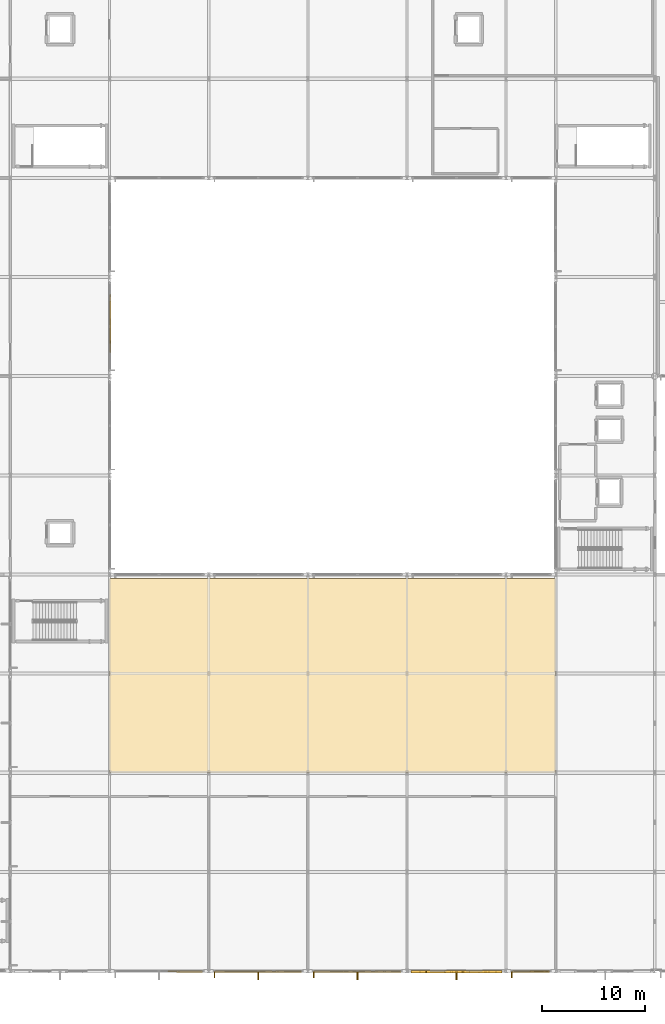
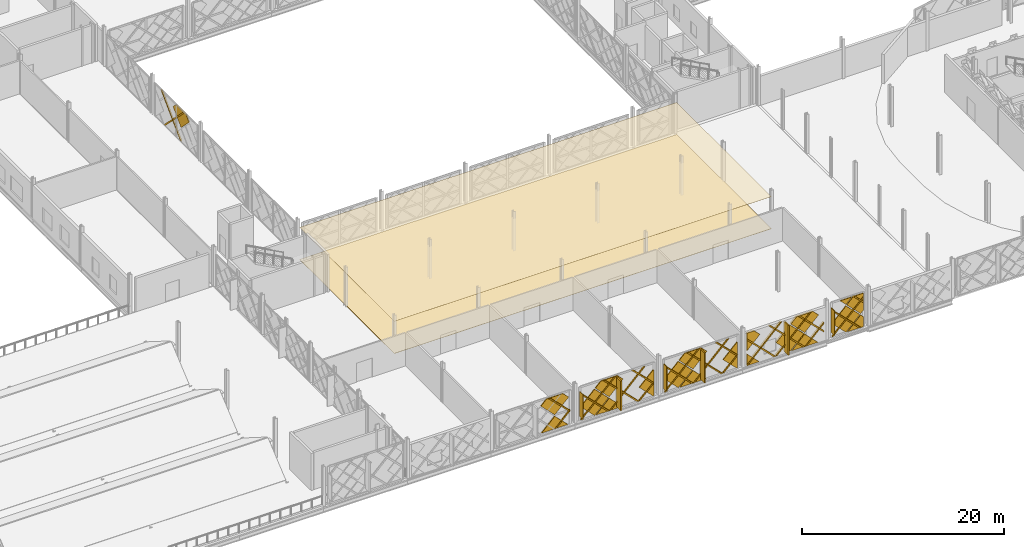
# One storey, part 58 of 77: 50 coverings, 3 shading devices.
"""IFC4 building model written with IfcOpenShell, lengths in metres."""

from ifc_helpers import new_model, si_unit, direction, frame, origin, origin_2d, place, context, subcontext, project, spatial, polyline, rectangle, outline, extrude, material, layer, layer_set, type_object, element, save


model = new_model("IFC4")

# Units and contexts
model_context = context("Model", 3, precision=1e-05, world=origin(), true_north=direction((0.0, 1.0)))
body_context = subcontext(model_context, "Body", "Model", "MODEL_VIEW")
ifc_project = project(units=[si_unit("LENGTHUNIT", "METRE"), si_unit("AREAUNIT", "SQUARE_METRE"), si_unit("VOLUMEUNIT", "CUBIC_METRE"), si_unit("PLANEANGLEUNIT", "RADIAN"), si_unit("MASSUNIT", "GRAM", prefix="KILO")], contexts=[model_context])

# Site, building, storey
site_placement = place(None, origin())
site = spatial("IfcSite", under=ifc_project, at=site_placement, CompositionType="ELEMENT")
building_placement = place(site_placement, origin())
building = spatial("IfcBuilding", under=site, at=building_placement, Name="Zevrakil Square Congress Hotel", CompositionType="ELEMENT")
storey_placement = place(building_placement, frame((0.0, 0.0, 9.89990234375)))
storey = spatial("IfcBuildingStorey", under=building, at=storey_placement, Name="L03", CompositionType="ELEMENT", Elevation=9.89990234375)

# Coverings
ifc_material_1 = material(Name="Acoustic Perforated Timber Ceiling", Category="wood")
ifc_layer_1 = layer(ifc_material_1, 0.02490234375)
ifc_layer_set_1 = layer_set([ifc_layer_1], Name="Acoustic Perforated Timber Ceiling")
covering_type_1 = type_object("IfcCoveringType", Name="COV-CEIL-ACOUSTIC-025", PredefinedType="CEILING", material=ifc_layer_set_1)
covering_1_placement = place(storey_placement, frame((0.0, 0.0, 3.89013671875)))
element("IfcCovering", 1, at=covering_1_placement, inside=storey, type_object=covering_type_1, Name="L03 acoustic perforated timber ceiling 6", PredefinedType="CEILING", context=body_context, shape_type="SweptSolid", body=[
    extrude(outline(polyline([(64.800048828125, 26.39990234375), (108.0, 26.39990234375), (108.0, 45.199951171875), (64.800048828125, 45.199951171875), (64.800048828125, 26.39990234375)])), origin(), (0.0, 0.0, 1.0), 0.02490234375),
])
ifc_material_2 = material(Name="Architectural White Fibre-C GRC", Category="concrete")
ifc_layer_2 = layer(ifc_material_2, 0.06494140625)
ifc_layer_set_2 = layer_set([ifc_layer_2], Name="Architectural White Fibre-C GRC")
covering_type_2 = type_object("IfcCoveringType", Name="COV-DIA-WHITE", PredefinedType="CLADDING", material=ifc_layer_set_2)
covering_2_placement = place(storey_placement, frame((72.0400390625, 7.10595703125, 1.590087890625), z_axis=(0.0, -0.999999790873, 0.000646725815), x_axis=(0.707106707249, -0.000457304257, -0.707106707249)))
element("IfcCovering", 2, at=covering_2_placement, inside=storey, type_object=covering_type_2, Name="L03 45-degree white GRC diamond facade cassette 108", PredefinedType="CLADDING", context=body_context, shape_type="SweptSolid", body=[
    extrude(outline(polyline([(0.0, 0.0), (2.1354765131557993, 0.0), (4.465861884739297e-07, -2.1354765131557527), (0.0, 0.0)])), origin(), (0.0, 0.0, -1.0), 0.1201171875),
])
covering_3_placement = place(storey_placement, frame((73.6298828125, 7.10693359375, 3.360107421875), z_axis=(0.0, -0.999999833523, 0.00057702221), x_axis=(-0.70705245556, -0.000408047662, -0.707160984913)))
element("IfcCovering", 3, at=covering_3_placement, inside=storey, type_object=covering_type_2, Name="L03 45-degree white GRC diamond facade cassette 111", PredefinedType="CLADDING", context=body_context, shape_type="SweptSolid", body=[
    extrude(outline(polyline([(0.0, 0.0), (2.248551345090487, -2.220446049250313e-16), (2.248378475018303, -2.248723965301739), (1.336182985314683, -2.248654009101241), (-0.00024282302249201138, -0.9120228429311016), (0.0, 0.0)])), origin(), (0.0, 0.0, -1.0), 0.1201171875),
])
covering_4_placement = place(storey_placement, frame((78.280029296875, 7.10595703125, 1.590087890625), z_axis=(0.0, -0.999999790873, 0.000646725815), x_axis=(0.707106707249, -0.000457304257, -0.707106707249)))
element("IfcCovering", 4, at=covering_4_placement, inside=storey, type_object=covering_type_2, Name="L03 45-degree white GRC diamond facade cassette 130", PredefinedType="CLADDING", context=body_context, shape_type="SweptSolid", body=[
    extrude(outline(polyline([(0.0, 0.0), (2.1354765131557993, 0.0), (4.465861884739297e-07, -2.1354765131557527), (0.0, 0.0)])), origin(), (0.0, 0.0, -1.0), 0.1201171875),
])
covering_5_placement = place(storey_placement, frame((76.60009765625, 7.10693359375, 3.27001953125), z_axis=(0.0, -0.999999812555, 0.000612281941), x_axis=(0.707106714489, -0.000432948753, -0.707106715341)))
element("IfcCovering", 5, at=covering_5_placement, inside=storey, type_object=covering_type_2, Name="L03 45-degree white GRC diamond facade cassette 131", PredefinedType="CLADDING", context=body_context, shape_type="SweptSolid", body=[
    extrude(outline(polyline([(0.0, 0.0), (2.2483788053823686, 2.220446049250313e-16), (2.2485518630143098, -2.2485514388251864), (0.013983735657622232, -2.2485514362281265), (-0.00017220932723183147, -2.23439549391379), (0.0, 0.0)])), origin(), (0.0, 0.0, -1.0), 0.1201171875),
])
covering_6_placement = place(storey_placement, frame((83.320068359375, 7.10498046875, 0.090087890625), z_axis=(-4.3911e-08, -0.999999810879, 0.000615014432), x_axis=(-0.707106714509, 0.000434911966, 0.707106714116)))
element("IfcCovering", 6, at=covering_6_placement, inside=storey, type_object=covering_type_2, Name="L03 45-degree white GRC diamond facade cassette 132", PredefinedType="CLADDING", context=body_context, shape_type="SweptSolid", body=[
    extrude(outline(polyline([(0.0, 0.0), (2.2487240723345274, -2.220446049250313e-16), (2.248551862954323, -2.2485514388919943), (2.1639614601190895, -2.2485514548663854), (0.00017263345166069338, -0.0847630362800969), (0.0, 0.0)])), origin(), (0.0, 0.0, -1.0), 0.1201171875),
])
covering_7_placement = place(storey_placement, frame((79.8701171875, 7.10693359375, 3.360107421875), z_axis=(0.0, -0.999999833524, 0.000577020187), x_axis=(-0.707106746075, -0.000408014907, -0.707106698581)))
element("IfcCovering", 7, at=covering_7_placement, inside=storey, type_object=covering_type_2, Name="L03 45-degree white GRC diamond facade cassette 133", PredefinedType="CLADDING", context=body_context, shape_type="SweptSolid", body=[
    extrude(outline(polyline([(0.0, 0.0), (2.2487239719466743, -2.220446049250313e-16), (2.248723748627534, -2.2487239719466636), (1.3365282562416159, -2.2487240499485552), (-1.6859136209301795e-07, -0.9121954923859064), (0.0, 0.0)])), origin(), (0.0, 0.0, -1.0), 0.1201171875),
])
covering_8_placement = place(storey_placement, frame((87.8798828125, 7.10595703125, 1.590087890625), z_axis=(0.0, -0.999999790873, 0.000646725815), x_axis=(0.707106707249, -0.000457304257, -0.707106707249)))
element("IfcCovering", 8, at=covering_8_placement, inside=storey, type_object=covering_type_2, Name="L03 45-degree white GRC diamond facade cassette 153", PredefinedType="CLADDING", context=body_context, shape_type="SweptSolid", body=[
    extrude(outline(polyline([(0.0, 0.0), (2.1354765131557993, 0.0), (0.00017308005963778683, -2.1353038796462007), (0.0, 0.0)])), origin(), (0.0, 0.0, -1.0), 0.1201171875),
])
covering_9_placement = place(storey_placement, frame((86.199951171875, 7.10693359375, 3.27001953125), z_axis=(0.0, -0.999999812555, 0.000612282237), x_axis=(0.707161000838, -0.000432915721, -0.707052424844)))
element("IfcCovering", 9, at=covering_9_placement, inside=storey, type_object=covering_type_2, Name="L03 45-degree white GRC diamond facade cassette 154", PredefinedType="CLADDING", context=body_context, shape_type="SweptSolid", body=[
    extrude(outline(polyline([(0.0, 0.0), (2.2485514454845923, 0.0), (2.248379222880032, -2.2487240657380214), (0.013983748838055643, -2.248379882955194), (-0.0001711092764935529, -2.234222853853795), (0.0, 0.0)])), origin(), (0.0, 0.0, -1.0), 0.1201171875),
])
covering_10_placement = place(storey_placement, frame((92.919921875, 7.10498046875, 0.090087890625), z_axis=(-4.3905e-08, -0.999999810877, 0.000615017631), x_axis=(-0.707052423991, 0.000434947608, 0.707161000444)))
element("IfcCovering", 10, at=covering_10_placement, inside=storey, type_object=covering_type_2, Name="L03 45-degree white GRC diamond facade cassette 155", PredefinedType="CLADDING", context=body_context, shape_type="SweptSolid", body=[
    extrude(outline(polyline([(0.0, 0.0), (2.2485514454863083, 0.0), (2.2487244898345797, -2.248378798725155), (2.163961467029263, -2.248557955925599), (6.520949064468817e-06, -0.08493566953746919), (0.0, 0.0)])), origin(), (0.0, 0.0, -1.0), 0.1201171875),
])
covering_11_placement = place(storey_placement, frame((89.469970703125, 7.10693359375, 3.360107421875), z_axis=(0.0, -0.999999833525, 0.000577018806), x_axis=(-0.707106746075, -0.000408013931, -0.707106698582)))
element("IfcCovering", 11, at=covering_11_placement, inside=storey, type_object=covering_type_2, Name="L03 45-degree white GRC diamond facade cassette 156", PredefinedType="CLADDING", context=body_context, shape_type="SweptSolid", body=[
    extrude(outline(polyline([(0.0, 0.0), (2.2487239719468546, -4.440892098500626e-16), (2.248551115144425, -2.2485513384467715), (1.33635562275862, -2.2485514164484766), (-1.6859132201396676e-07, -0.9121954923857929), (0.0, 0.0)])), origin(), (0.0, 0.0, -1.0), 0.1201171875),
])
covering_12_placement = place(storey_placement, frame((95.409912109375, 7.02001953125, 0.080078125), z_axis=(0.0, -0.999999760125, 0.000692640526), x_axis=(-1.0, 0.0, 0.0)))
element("IfcCovering", 12, at=covering_12_placement, inside=storey, type_object=covering_type_2, Name="L03 45-degree white GRC diamond facade cassette 176", PredefinedType="CLADDING", context=body_context, shape_type="SweptSolid", body=[
    extrude(outline(polyline([(0.0, 0.0), (1.409912109375, 0.0), (1.409912109375, -1.4099124475784228), (0.0, 0.0)])), origin(), (0.0, 0.0, -1.0), 0.219970703125),
])
covering_13_placement = place(storey_placement, frame((100.6201171875, 7.02099609375, 1.590087890625), z_axis=(0.0, -0.999999790873, 0.000646725815), x_axis=(0.707049537273, -0.000457341227, -0.707163872579)))
element("IfcCovering", 13, at=covering_13_placement, inside=storey, type_object=covering_type_2, Name="L03 45-degree white GRC diamond facade cassette 177", PredefinedType="CLADDING", context=body_context, shape_type="SweptSolid", body=[
    extrude(outline(polyline([(0.0, 0.0), (2.135303886660825, 0.0), (0.00017309405212095896, -2.1354765061406087), (0.0, 0.0)])), origin(), (0.0, 0.0, -1.0), 0.219970703125),
])
covering_14_placement = place(storey_placement, frame((98.93994140625, 7.02197265625, 3.27001953125), z_axis=(0.0, -0.999999811377, 0.000614203339), x_axis=(0.707161000837, -0.000434274042, -0.707052424012)))
element("IfcCovering", 14, at=covering_14_placement, inside=storey, type_object=covering_type_2, Name="L03 45-degree white GRC diamond facade cassette 178", PredefinedType="CLADDING", context=body_context, shape_type="SweptSolid", body=[
    extrude(outline(polyline([(0.0, 0.0), (2.2485514454867683, 0.0), (2.2483792228863573, -2.248724065739994), (-0.0001721960923970478, -2.248378798790573), (0.0, 0.0)])), origin(), (0.0, 0.0, -1.0), 0.219970703125),
])
covering_15_placement = place(storey_placement, frame((95.489990234375, 7.02197265625, 3.360107421875), z_axis=(-2.6201832e-05, -0.999999757117, 0.000696476053), x_axis=(-0.707106705563, -0.000473955506, -0.70710669797)))
element("IfcCovering", 15, at=covering_15_placement, inside=storey, type_object=covering_type_2, Name="L03 45-degree white GRC diamond facade cassette 179", PredefinedType="CLADDING", context=body_context, shape_type="SweptSolid", body=[
    extrude(outline(polyline([(0.0, 0.0), (2.1071646234335564, 0.0), (0.5974842236581275, -1.5096800770776109), (-2.2652588360649872e-07, -0.9121954995045182), (0.0, 0.0)])), origin(), (0.0, 0.0, -1.0), 0.219970703125),
])
covering_16_placement = place(storey_placement, frame((102.2099609375, 7.02197265625, 3.360107421875), z_axis=(0.0, -0.999999775378, 0.000670257195), x_axis=(-0.707052424547, -0.000473979838, -0.707160974803)))
element("IfcCovering", 16, at=covering_16_placement, inside=storey, type_object=covering_type_2, Name="L03 45-degree white GRC diamond facade cassette 180", PredefinedType="CLADDING", context=body_context, shape_type="SweptSolid", body=[
    extrude(outline(polyline([(0.0, 0.0), (2.2485514437172673, 0.0), (2.2483783763991094, -2.2487240639057764), (1.3361828810269825, -2.2486540733710796), (-7.024847056097405e-05, -0.9121954953522995), (0.0, 0.0)])), origin(), (0.0, 0.0, -1.0), 0.219970703125),
])
covering_17_placement = place(storey_placement, frame((107.080078125, 7.10595703125, 1.590087890625), z_axis=(-2.4434209e-05, -0.9999997937, 0.00064187453), x_axis=(0.706818819201, -0.000471329148, -0.707394468929)))
element("IfcCovering", 17, at=covering_17_placement, inside=storey, type_object=covering_type_2, Name="L03 45-degree white GRC diamond facade cassette 194", PredefinedType="CLADDING", context=body_context, shape_type="SweptSolid", body=[
    extrude(outline(polyline([(0.0, 0.0), (0.4241605917046896, 5.551115123125783e-17), (1.2800806117242027, -0.8552233182578379), (0.0008696969925980902, -2.1354763356009503), (0.0, 0.0)])), origin(), (0.0, 0.0, -1.0), 0.1201171875),
])
covering_18_placement = place(storey_placement, frame((105.39990234375, 7.10693359375, 3.27001953125), z_axis=(0.0, -0.999999812555, 0.000612282237), x_axis=(0.707161000838, -0.000432915721, -0.707052424844)))
element("IfcCovering", 18, at=covering_18_placement, inside=storey, type_object=covering_type_2, Name="L03 45-degree white GRC diamond facade cassette 195", PredefinedType="CLADDING", context=body_context, shape_type="SweptSolid", body=[
    extrude(outline(polyline([(0.0, 0.0), (2.2485514454845923, 0.0), (2.248379222880032, -2.2487240657380214), (0.013983748838055643, -2.248379882955194), (-0.0001711092764935529, -2.234222853853795), (0.0, 0.0)])), origin(), (0.0, 0.0, -1.0), 0.1201171875),
])
covering_19_placement = place(storey_placement, frame((107.080078125, 7.106201171875, 1.77001953125), z_axis=(-2.7518589e-05, -0.999999855513, 0.000536857347), x_axis=(-0.707106743564, 0.000399074068, 0.707106706195)))
element("IfcCovering", 19, at=covering_19_placement, inside=storey, type_object=covering_type_2, Name="L03 45-degree white GRC diamond facade cassette 196", PredefinedType="CLADDING", context=body_context, shape_type="SweptSolid", body=[
    extrude(outline(polyline([(0.0, 0.0), (2.248723973511664, -2.220446049250313e-16), (2.248724139414385, -1.0958775088290285), (1.4603070256794715, -1.884294705863747), (0.00017262226965999994, -0.4241604610872148), (0.0, 0.0)])), origin(), (0.0, 0.0, -1.0), 0.1201171875),
])
covering_20_placement = place(storey_placement, frame((105.39990234375, 7.107177734375, 3.4501953125), z_axis=(0.0, -0.999999936452, 0.000356506216), x_axis=(-0.707106758719, 0.000252087971, 0.707106758719)))
element("IfcCovering", 20, at=covering_20_placement, inside=storey, type_object=covering_type_2, Name="L03 45-degree white GRC diamond facade cassette 197", PredefinedType="CLADDING", context=body_context, shape_type="SweptSolid", body=[
    extrude(outline(polyline([(0.0, 0.0), (0.9684739180909472, 0.0), (-0.00017257194110054108, -0.9686465515879311), (0.0, 0.0)])), origin(), (0.0, 0.0, -1.0), 0.1201171875),
])
covering_21_placement = place(storey_placement, frame((64.89306640625, 70.27001953125, 3.360107421875), z_axis=(0.999999819419, 0.0, 0.000600967764), x_axis=(0.000424948402, -0.707106747162, -0.707106687521)))
element("IfcCovering", 21, at=covering_21_placement, inside=storey, type_object=covering_type_2, Name="L03 45-degree white GRC diamond facade cassette 1864", PredefinedType="CLADDING", context=body_context, shape_type="SweptSolid", body=[
    extrude(outline(polyline([(0.0, 0.0), (2.248723968490032, 0.0), (2.248551118600983, -2.248551334990214), (1.42129129452942, -2.248551427985134), (-1.7260623347281623e-07, -0.8272598240715496), (0.0, 0.0)])), origin(), (0.0, 0.0, -1.0), 0.1201171875),
])
ifc_material_3 = material(Name="Anodised Champagne Aluminium", Category="aluminium")
ifc_layer_3 = layer(ifc_material_3, 0.0849609375)
ifc_layer_set_3 = layer_set([ifc_layer_3], Name="Anodised Champagne Aluminium")
covering_type_3 = type_object("IfcCoveringType", Name="COV-DIAGRID-45", PredefinedType="MOLDING", material=ifc_layer_set_3)
covering_22_placement = place(storey_placement, frame((72.22607421875, 7.080078125, 0.080078125), z_axis=(0.000294139249, -0.999999913482, 0.000294139249), x_axis=(-0.999999956741, -0.000294139237, 8.6518e-08)))
element("IfcCovering", 22, at=covering_22_placement, inside=storey, type_object=covering_type_3, Name="L03 45-degree aluminium diagrid rib 114", PredefinedType="MOLDING", context=body_context, shape_type="SweptSolid", body=[
    extrude(outline(polyline([(0.0, 0.0), (0.2121581939472589, 0.0), (-1.553955145347468, -1.7661134920951609), (-1.5539551637029505, -1.5539552981479028), (0.0, 0.0)])), origin(), (0.0, 0.0, -1.0), 0.14501953125),
])
covering_23_placement = place(storey_placement, frame((71.288818359375, 7.08251953125, 4.005126953125), z_axis=(0.000242027513, -0.999999559026, 0.000907397268), x_axis=(0.999999970711, 0.000242027413, -2.19615e-07)))
element("IfcCovering", 23, at=covering_23_placement, inside=storey, type_object=covering_type_3, Name="L03 45-degree aluminium diagrid rib 117", PredefinedType="MOLDING", context=body_context, shape_type="SweptSolid", body=[
    extrude(outline(polyline([(0.0, 0.0), (0.21240233752902019, 0.0), (2.4912110104642298, -2.2788089847939177), (2.49121099802227, -2.4912114626335993), (0.0, 0.0)])), origin(), (0.0, 0.0, -1.0), 0.14501953125),
])
covering_24_placement = place(storey_placement, frame((75.106201171875, 7.080078125, 0.080078125), z_axis=(0.000186705842, -0.999999885196, 0.000441304718), x_axis=(-0.99999998257, -0.000186705824, 8.2394e-08)))
element("IfcCovering", 24, at=covering_24_placement, inside=storey, type_object=covering_type_3, Name="L03 45-degree aluminium diagrid rib 134", PredefinedType="MOLDING", context=body_context, shape_type="SweptSolid", body=[
    extrude(outline(polyline([(0.0, 0.0), (0.086181639122894, -2.2812090330563966e-24), (0.08618164952274412, -0.12622069083426724), (-3.7126465520889185, -3.92504952332774), (-3.9248047515160995, -3.92504952332774), (0.0, 0.0)])), origin(), (0.0, 0.0, -1.0), 0.14501953125),
])
covering_25_placement = place(storey_placement, frame((78.466064453125, 7.080078125, 0.080078125), z_axis=(0.0, -0.999999806554, 0.000622006473), x_axis=(-1.0, 0.0, 0.0)))
element("IfcCovering", 25, at=covering_25_placement, inside=storey, type_object=covering_type_3, Name="L03 45-degree aluminium diagrid rib 135", PredefinedType="MOLDING", context=body_context, shape_type="SweptSolid", body=[
    extrude(outline(polyline([(0.0, 0.0), (0.212158203125, 0.0), (-3.712890625, -3.9250495874103186), (-3.925048828125, -3.9250495874103186), (0.0, 0.0)])), origin(), (0.0, 0.0, -1.0), 0.14501953125),
])
covering_26_placement = place(storey_placement, frame((81.826171875, 7.080078125, 0.080078125), z_axis=(0.000294160881, -0.999999913469, 0.000294160881), x_axis=(-0.999999956735, -0.000294160868, 8.6531e-08)))
element("IfcCovering", 26, at=covering_26_placement, inside=storey, type_object=covering_type_3, Name="L03 45-degree aluminium diagrid rib 136", PredefinedType="MOLDING", context=body_context, shape_type="SweptSolid", body=[
    extrude(outline(polyline([(0.0, 0.0), (0.21215819394590898, 2.8078904387053947e-24), (-1.5537110047217924, -1.7661134921050472), (-1.5537110230799749, -1.5539552981591391), (0.0, 0.0)])), origin(), (0.0, 0.0, -1.0), 0.14501953125),
])
covering_27_placement = place(storey_placement, frame((75.02001953125, 7.081787109375, 3.154052734375), z_axis=(0.000287477056, -0.99999958606, 0.000863270454), x_axis=(8.2643e-08, 0.000863270513, 0.999999627382)))
element("IfcCovering", 27, at=covering_27_placement, inside=storey, type_object=covering_type_3, Name="L03 45-degree aluminium diagrid rib 137", PredefinedType="MOLDING", context=body_context, shape_type="SweptSolid", body=[
    extrude(outline(polyline([(0.0, 0.0), (0.21215833483042407, 1.3234889800848443e-23), (-3.0739746676964605, -3.286133202330571), (-3.073974685229852, -3.0739750079722734), (0.0, 0.0)])), origin(), (0.0, 0.0, -1.0), 0.14501953125),
])
covering_28_placement = place(storey_placement, frame((77.52880859375, 7.08251953125, 4.005126953125), z_axis=(0.0, -0.999999806554, 0.000622006473), x_axis=(1.0, 0.0, 0.0)))
element("IfcCovering", 28, at=covering_28_placement, inside=storey, type_object=covering_type_3, Name="L03 45-degree aluminium diagrid rib 138", PredefinedType="MOLDING", context=body_context, shape_type="SweptSolid", body=[
    extrude(outline(polyline([(0.0, 0.0), (0.21240234375, 0.0), (4.13720703125, -3.9250495874103186), (3.925048828125, -3.9250495874103186), (0.0, 0.0)])), origin(), (0.0, 0.0, -1.0), 0.14501953125),
])
covering_29_placement = place(storey_placement, frame((80.888916015625, 7.08251953125, 4.005126953125), z_axis=(0.00024217289, -0.99999955887, 0.00090753025), x_axis=(0.999999970676, 0.00024217279, -2.19779e-07)))
element("IfcCovering", 29, at=covering_29_placement, inside=storey, type_object=covering_type_3, Name="L03 45-degree aluminium diagrid rib 139", PredefinedType="MOLDING", context=body_context, shape_type="SweptSolid", body=[
    extrude(outline(polyline([(0.0, 0.0), (0.21215819690370366, -5.6157808774107894e-24), (2.490966869919751, -2.2788089847137165), (2.490966857477158, -2.4912114625602326), (0.0, 0.0)])), origin(), (0.0, 0.0, -1.0), 0.14501953125),
])
covering_30_placement = place(storey_placement, frame((84.7060546875, 7.080078125, 0.080078125), z_axis=(0.000186814305, -0.999999885222, 0.000441199743), x_axis=(-0.99999998255, -0.000186814287, 8.2422e-08)))
element("IfcCovering", 30, at=covering_30_placement, inside=storey, type_object=covering_type_3, Name="L03 45-degree aluminium diagrid rib 157", PredefinedType="MOLDING", context=body_context, shape_type="SweptSolid", body=[
    extrude(outline(polyline([(0.0, 0.0), (0.08593749850040845, 0.0), (0.08593750890382487, -0.12622069084011384), (-3.7128906927883554, -3.9250495232532634), (-3.9250488922112385, -3.9250495232532634), (0.0, 0.0)])), origin(), (0.0, 0.0, -1.0), 0.14501953125),
])
covering_31_placement = place(storey_placement, frame((88.066162109375, 7.080078125, 0.080078125), z_axis=(0.0, -0.999999806554, 0.000622006473), x_axis=(-1.0, 0.0, 0.0)))
element("IfcCovering", 31, at=covering_31_placement, inside=storey, type_object=covering_type_3, Name="L03 45-degree aluminium diagrid rib 158", PredefinedType="MOLDING", context=body_context, shape_type="SweptSolid", body=[
    extrude(outline(polyline([(0.0, 0.0), (0.212158203125, 0.0), (-3.712646484375, -3.9250495874103186), (-3.925048828125, -3.9250495874103186), (0.0, 0.0)])), origin(), (0.0, 0.0, -1.0), 0.14501953125),
])
covering_32_placement = place(storey_placement, frame((91.426025390625, 7.080078125, 0.080078125), z_axis=(0.000294139249, -0.999999913482, 0.000294139249), x_axis=(-0.999999956741, -0.000294139237, 8.6518e-08)))
element("IfcCovering", 32, at=covering_32_placement, inside=storey, type_object=covering_type_3, Name="L03 45-degree aluminium diagrid rib 159", PredefinedType="MOLDING", context=body_context, shape_type="SweptSolid", body=[
    extrude(outline(polyline([(0.0, 0.0), (0.2121581939472589, 0.0), (-1.553955145347468, -1.7661134920951609), (-1.5539551637029505, -1.5539552981479028), (0.0, 0.0)])), origin(), (0.0, 0.0, -1.0), 0.14501953125),
])
covering_33_placement = place(storey_placement, frame((84.6201171875, 7.081787109375, 3.154052734375), z_axis=(0.000287488092, -0.999999586067, 0.000863259418), x_axis=(8.2649e-08, 0.000863259477, 0.999999627391)))
element("IfcCovering", 33, at=covering_33_placement, inside=storey, type_object=covering_type_3, Name="L03 45-degree aluminium diagrid rib 160", PredefinedType="MOLDING", context=body_context, shape_type="SweptSolid", body=[
    extrude(outline(polyline([(0.0, 0.0), (0.212158334829751, 1.3234889800848443e-23), (-3.0739746677062127, -3.2858890617254115), (-3.073974685240951, -3.0737308673677872), (0.0, 0.0)])), origin(), (0.0, 0.0, -1.0), 0.14501953125),
])
covering_34_placement = place(storey_placement, frame((87.12890625, 7.08251953125, 4.005126953125), z_axis=(0.0, -0.999999806554, 0.000622006473), x_axis=(1.0, 0.0, 0.0)))
element("IfcCovering", 34, at=covering_34_placement, inside=storey, type_object=covering_type_3, Name="L03 45-degree aluminium diagrid rib 161", PredefinedType="MOLDING", context=body_context, shape_type="SweptSolid", body=[
    extrude(outline(polyline([(0.0, 0.0), (0.212158203125, 0.0), (4.13720703125, -3.9250495874103186), (3.925048828125, -3.9250495874103186), (0.0, 0.0)])), origin(), (0.0, 0.0, -1.0), 0.14501953125),
])
covering_35_placement = place(storey_placement, frame((90.489013671875, 7.08251953125, 4.005126953125), z_axis=(0.00024217289, -0.99999955887, 0.00090753025), x_axis=(0.999999970676, 0.00024217279, -2.19779e-07)))
element("IfcCovering", 35, at=covering_35_placement, inside=storey, type_object=covering_type_3, Name="L03 45-degree aluminium diagrid rib 162", PredefinedType="MOLDING", context=body_context, shape_type="SweptSolid", body=[
    extrude(outline(polyline([(0.0, 0.0), (0.21215819690370366, -5.6157808774107894e-24), (2.490966869919751, -2.2788089847137165), (2.490966857477158, -2.4912114625602326), (0.0, 0.0)])), origin(), (0.0, 0.0, -1.0), 0.14501953125),
])
covering_36_placement = place(storey_placement, frame((94.086181640625, 6.9951171875, 0.080078125), z_axis=(0.000168035262, -0.999999907008, 0.000397174255), x_axis=(-0.999999985882, -0.000168035248, 6.6739e-08)))
element("IfcCovering", 36, at=covering_36_placement, inside=storey, type_object=covering_type_3, Name="L03 45-degree aluminium diagrid rib 181", PredefinedType="MOLDING", context=body_context, shape_type="SweptSolid", body=[
    extrude(outline(polyline([(0.0, 0.0), (0.08618163940829408, -1.1406045165281983e-24), (0.08618164783217303, -0.12622069316950618), (-3.7126465392232757, -3.925049391239227), (-3.9248047393530423, -3.925049391239227), (0.0, 0.0)])), origin(), (0.0, 0.0, -1.0), 0.2451171875),
])
covering_37_placement = place(storey_placement, frame((97.446044921875, 6.9951171875, 0.080078125), z_axis=(0.0, -0.999999843309, 0.000559805846), x_axis=(-1.0, 0.0, 0.0)))
element("IfcCovering", 37, at=covering_37_placement, inside=storey, type_object=covering_type_3, Name="L03 45-degree aluminium diagrid rib 182", PredefinedType="MOLDING", context=body_context, shape_type="SweptSolid", body=[
    extrude(outline(polyline([(0.0, 0.0), (0.212158203125, 0.0), (-3.712890625, -3.9250494431461194), (-3.925048828125, -3.9250494431461194), (0.0, 0.0)])), origin(), (0.0, 0.0, -1.0), 0.2451171875),
])
covering_38_placement = place(storey_placement, frame((100.80615234375, 6.9951171875, 0.080078125), z_axis=(-0.000313791586, -0.99999960052, 0.000836955941), x_axis=(-0.999999950767, 0.000313791476, -2.6263e-07)))
element("IfcCovering", 38, at=covering_38_placement, inside=storey, type_object=covering_type_3, Name="L03 45-degree aluminium diagrid rib 183", PredefinedType="MOLDING", context=body_context, shape_type="SweptSolid", body=[
    extrude(outline(polyline([(0.0, 0.0), (0.21215819267990413, 0.0), (-1.9938965825396746, -2.20605493650916), (-1.9938966034298669, -1.9938966033571301), (0.0, 0.0)])), origin(), (0.0, 0.0, -1.0), 0.2451171875),
])
covering_39_placement = place(storey_placement, frame((94.0, 6.996826171875, 3.154052734375), z_axis=(0.000287477056, -0.99999958606, 0.000863270454), x_axis=(8.2643e-08, 0.000863270513, 0.999999627382)))
element("IfcCovering", 39, at=covering_39_placement, inside=storey, type_object=covering_type_3, Name="L03 45-degree aluminium diagrid rib 184", PredefinedType="MOLDING", context=body_context, shape_type="SweptSolid", body=[
    extrude(outline(polyline([(0.0, 0.0), (0.21215833483042407, 1.3234889800848443e-23), (-3.0739746676964605, -3.286133202330571), (-3.073974685229852, -3.0739750079722734), (0.0, 0.0)])), origin(), (0.0, 0.0, -1.0), 0.2451171875),
])
covering_40_placement = place(storey_placement, frame((96.5087890625, 6.997314453125, 4.005126953125), z_axis=(0.0, -0.999999843309, 0.000559805846), x_axis=(1.0, 0.0, 0.0)))
element("IfcCovering", 40, at=covering_40_placement, inside=storey, type_object=covering_type_3, Name="L03 45-degree aluminium diagrid rib 185", PredefinedType="MOLDING", context=body_context, shape_type="SweptSolid", body=[
    extrude(outline(polyline([(0.0, 0.0), (0.21240234375, 0.0), (4.13720703125, -3.9250494431461194), (3.925048828125, -3.9250494431461194), (0.0, 0.0)])), origin(), (0.0, 0.0, -1.0), 0.2451171875),
])
covering_41_placement = place(storey_placement, frame((99.868896484375, 6.997314453125, 4.005126953125), z_axis=(0.000294511409, -0.999999590061, 0.000856236106), x_axis=(0.999999956632, 0.000294511301, -2.52171e-07)))
element("IfcCovering", 41, at=covering_41_placement, inside=storey, type_object=covering_type_3, Name="L03 45-degree aluminium diagrid rib 186", PredefinedType="MOLDING", context=body_context, shape_type="SweptSolid", body=[
    extrude(outline(polyline([(0.0, 0.0), (0.21215819392401997, 0.0), (2.9311524708696437, -2.7189943981748455), (2.9311524524676837, -2.931152732570991), (0.0, 0.0)])), origin(), (0.0, 0.0, -1.0), 0.2451171875),
])
covering_42_placement = place(storey_placement, frame((103.906005859375, 7.080078125, 0.080078125), z_axis=(-0.000104053155, -0.999999756628, 0.000689867662), x_axis=(-0.999999994586, 0.000104053131, -7.1783e-08)))
element("IfcCovering", 42, at=covering_42_placement, inside=storey, type_object=covering_type_3, Name="L03 45-degree aluminium diagrid rib 198", PredefinedType="MOLDING", context=body_context, shape_type="SweptSolid", body=[
    extrude(outline(polyline([(0.0, 0.0), (0.08593749953477481, 1.137373342260413e-24), (0.08593749047428577, -0.1262206730896823), (-3.4738769702810175, -3.6860357949482765), (-3.473876980455281, -3.4738774738834497), (0.0, 0.0)])), origin(), (0.0, 0.0, -1.0), 0.14501953125),
])
covering_43_placement = place(storey_placement, frame((103.820068359375, 7.081787109375, 3.154052734375), z_axis=(0.000287317256, -0.999999586254, 0.000863099624), x_axis=(8.2646e-08, 0.000863099684, 0.999999627529)))
element("IfcCovering", 43, at=covering_43_placement, inside=storey, type_object=covering_type_3, Name="L03 45-degree aluminium diagrid rib 199", PredefinedType="MOLDING", context=body_context, shape_type="SweptSolid", body=[
    extrude(outline(polyline([(0.0, 0.0), (0.212158334820002, 0.0), (-3.0739746678474664, -3.286133202189314), (-3.0739746854017027, -3.07373086720635), (0.0, 0.0)])), origin(), (0.0, 0.0, -1.0), 0.14501953125),
])
covering_44_placement = place(storey_placement, frame((106.198974609375, 7.08251953125, 4.135009765625), z_axis=(-0.000340715463, -0.999999883913, 0.000340715463), x_axis=(0.999999941956, -0.000340715443, 1.16087e-07)))
element("IfcCovering", 44, at=covering_44_placement, inside=storey, type_object=covering_type_3, Name="L03 45-degree aluminium diagrid rib 200", PredefinedType="MOLDING", context=body_context, shape_type="SweptSolid", body=[
    extrude(outline(polyline([(0.0, 0.0), (0.21215819081059215, -2.8078904387053947e-24), (1.180908271669067, -0.968750193317811), (1.1809082470402505, -1.1809083841284016), (0.0, 0.0)])), origin(), (0.0, 0.0, -1.0), 0.14501953125),
])
covering_45_placement = place(storey_placement, frame((64.919921875, 68.8662109375, 0.080078125), z_axis=(0.999999800495, 0.0, 0.00063167191), x_axis=(0.0, -1.0, 0.0)))
element("IfcCovering", 45, at=covering_45_placement, inside=storey, type_object=covering_type_3, Name="L03 45-degree aluminium diagrid rib 1866", PredefinedType="MOLDING", context=body_context, shape_type="SweptSolid", body=[
    extrude(outline(polyline([(0.0, 0.0), (0.21240234375, 0.0), (-3.652587890625, -3.864991005458952), (-3.864990234375, -3.864991005458952), (0.0, 0.0)])), origin(), (0.0, 0.0, -1.0), 0.14501953125),
])
covering_46_placement = place(storey_placement, frame((64.91748046875, 67.989013671875, 3.945068359375), z_axis=(0.999999800495, 0.0, 0.00063167191), x_axis=(0.0, 1.0, 0.0)))
element("IfcCovering", 46, at=covering_46_placement, inside=storey, type_object=covering_type_3, Name="L03 45-degree aluminium diagrid rib 1869", PredefinedType="MOLDING", context=body_context, shape_type="SweptSolid", body=[
    extrude(outline(polyline([(0.0, 0.0), (0.212158203125, 0.0), (4.0771484375, -3.8649910054589514), (3.864990234375, -3.8649910054589514), (0.0, 0.0)])), origin(), (0.0, 0.0, -1.0), 0.14501953125),
])
ifc_material_4 = material(Name="Architectural White Fibre-C GRC", Category="concrete")
ifc_layer_4 = layer(ifc_material_4, 0.139892578125)
ifc_layer_set_4 = layer_set([ifc_layer_4], Name="Architectural White Fibre-C GRC")
covering_type_4 = type_object("IfcCoveringType", Name="COV-FIN-GRC90", PredefinedType="MOLDING", material=ifc_layer_set_4)
for number, where, z_axis, x_axis, name in (
    (47, (79.199951171875, 6.780029296875, 0.242431640625), (0.0, 0.0, 1.0), (0.0, -1.0, 0.0), "L03 highland sun-breaker GRC fin 140"),
    (48, (88.800048828125, 6.780029296875, 0.242431640625), (0.0, 0.0, 1.0), (0.0, -1.0, 0.0), "L03 highland sun-breaker GRC fin 163"),
    (49, (98.39990234375, 6.780029296875, 0.242431640625), (0.0, 0.0, 1.0), (0.0, -1.0, 0.0), "L03 highland sun-breaker GRC fin 187"),
):
    element("IfcCovering", number, at=place(storey_placement, frame(where, z_axis=z_axis, x_axis=x_axis)), inside=storey, type_object=covering_type_4, Name=name, PredefinedType="MOLDING", context=body_context, shape_type="SweptSolid", body=[
        extrude(rectangle(XDim=0.89990234375, YDim=0.139892578125, at=origin_2d()), origin(), (0.0, 0.0, 1.0), 3.60009765625),
    ])
ifc_material_5 = material(Name="Honed Addis Basalt Stone Flooring", Category="masonry")
ifc_layer_5 = layer(ifc_material_5, 0.030029296875)
ifc_layer_set_5 = layer_set([ifc_layer_5], Name="Honed Addis Basalt Stone Flooring")
covering_type_5 = type_object("IfcCoveringType", Name="COV-FLOR-BASALT-030", PredefinedType="FLOORING", material=ifc_layer_set_5)
covering_47_placement = place(storey_placement, origin())
element("IfcCovering", 50, at=covering_47_placement, inside=storey, type_object=covering_type_5, Name="L03 honed basalt stone flooring 6", PredefinedType="FLOORING", context=body_context, shape_type="SweptSolid", body=[
    extrude(outline(polyline([(64.800048828125, 26.39990234375), (108.0, 26.39990234375), (108.0, 45.199951171875), (64.800048828125, 45.199951171875), (64.800048828125, 26.39990234375)])), origin(), (0.0, 0.0, 1.0), 0.030029296875),
])

# Shading devices
ifc_material_6 = material(Name="Aluminium Anodised Bronze", Category="aluminium")
shading_device_type = type_object("IfcShadingDeviceType", Name="SHD-FIN-65", PredefinedType="USERDEFINED", material=ifc_material_6)
for number, where, z_axis, x_axis, name in (
    (51, (74.9599609375, 6.85498046875, 0.54248046875), (0.0, 0.0, 1.0), (0.0, -1.0, 0.0), "L03 aluminium solar shading fin 8"),
    (52, (84.56005859375, 6.85498046875, 0.54248046875), (0.0, 0.0, 1.0), (0.0, -1.0, 0.0), "L03 aluminium solar shading fin 10"),
    (53, (103.760009765625, 6.85498046875, 0.607666015625), (0.0, 0.0, 1.0), (0.0, -1.0, 0.0), "L03 aluminium solar shading fin 12"),
):
    element("IfcShadingDevice", number, at=place(storey_placement, frame(where, z_axis=z_axis, x_axis=x_axis)), inside=storey, type_object=shading_device_type, Name=name, ObjectType="SOLAR FIN", PredefinedType="USERDEFINED", context=body_context, shape_type="SweptSolid", body=[
        extrude(rectangle(XDim=0.64990234375, YDim=0.080078125, at=origin_2d()), origin(), (0.0, 0.0, 1.0), 3.0),
    ])

save(model, "model.ifc")
